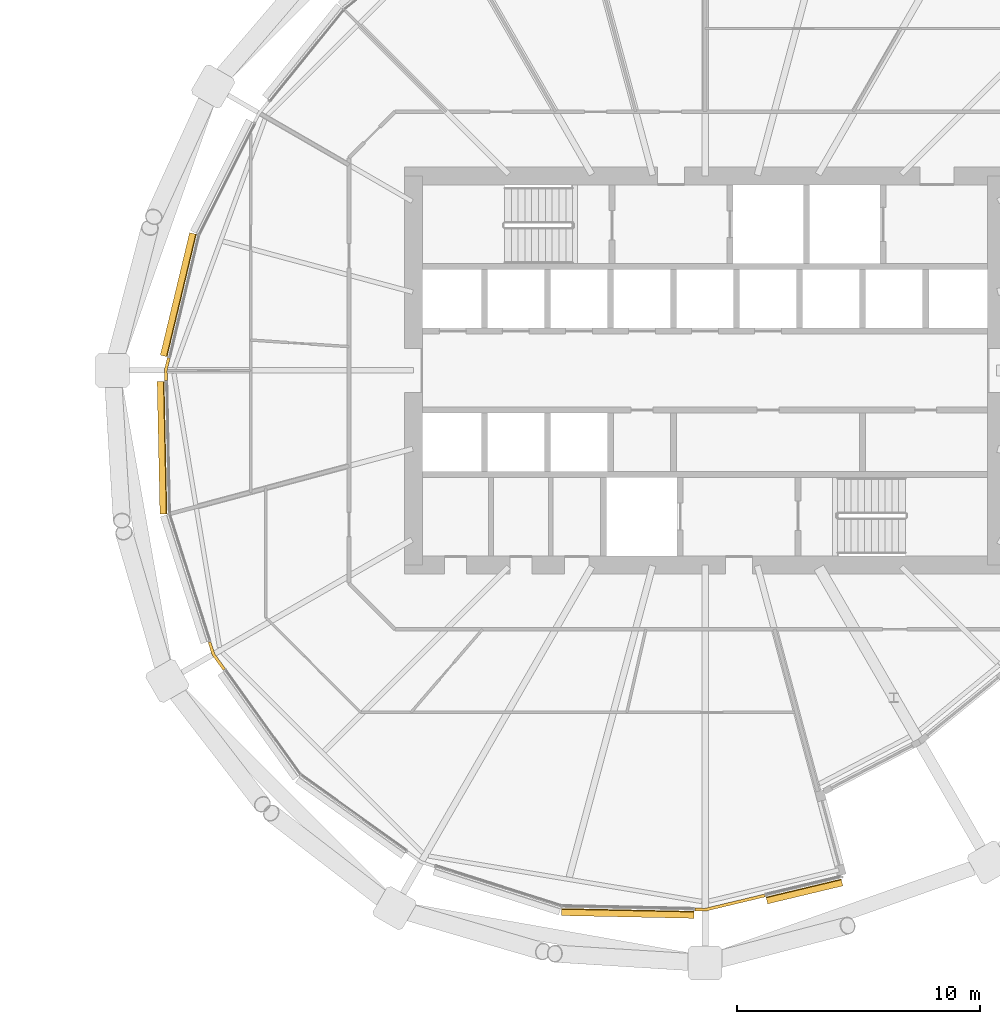
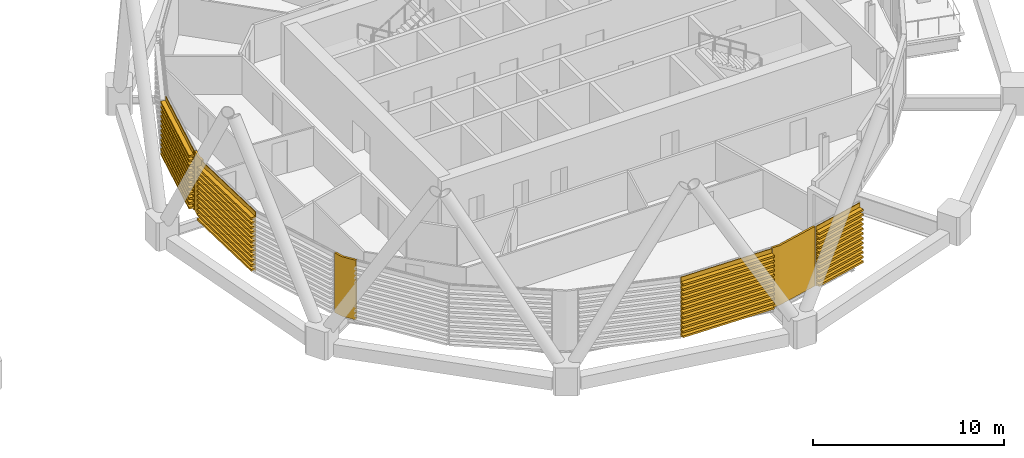
# One storey, part 35 of 38: 7 coverings.
"""IFC4 building model written with IfcOpenShell, lengths in metres."""

from ifc_helpers import new_model, si_unit, direction, frame, origin, place, context, subcontext, project, spatial, polyline, outline, extrude, material, layer, layer_set, material_profile, profile_set, type_object, element, save


model = new_model("IFC4")

# Units and contexts
model_context = context("Model", 3, precision=1e-05, world=origin(), true_north=direction((0.0, 1.0)))
body_context = subcontext(model_context, "Body", "Model", "MODEL_VIEW")
ifc_project = project(units=[si_unit("LENGTHUNIT", "METRE"), si_unit("AREAUNIT", "SQUARE_METRE"), si_unit("VOLUMEUNIT", "CUBIC_METRE"), si_unit("PLANEANGLEUNIT", "RADIAN"), si_unit("MASSUNIT", "GRAM", prefix="KILO")], contexts=[model_context])

# Site, building, storey
site_placement = place(None, origin())
site = spatial("IfcSite", under=ifc_project, at=site_placement, CompositionType="ELEMENT")
building_placement = place(site_placement, origin())
building = spatial("IfcBuilding", under=site, at=building_placement, Name="Rimbun Link Towers", CompositionType="ELEMENT")
storey_placement = place(building_placement, frame((0.0, 0.0, 93.0)))
storey = spatial("IfcBuildingStorey", under=building, at=storey_placement, Name="L22", CompositionType="ELEMENT", Elevation=93.0)

# Coverings
ifc_material_1 = material(Name="Terracotta", Category="masonry")
ifc_layer = layer(ifc_material_1, 0.1201171875)
ifc_layer_set = layer_set([ifc_layer], Name="LINK PIER terracotta cladding 120")
covering_type_1 = type_object("IfcCoveringType", Name="LINK PIER terracotta cladding 120", PredefinedType="CLADDING", material=ifc_layer_set)
covering_1_placement = place(storey_placement, origin())
element("IfcCovering", 1, at=covering_1_placement, inside=storey, type_object=covering_type_1, Name="LINK PIER cladding", PredefinedType="CLADDING", context=body_context, shape_type="SweptSolid", body=[
    extrude(outline(polyline([(9.6298828125, -0.419921875), (9.62109375, 0.0), (9.741943359375, 0.505859375), (9.625244140625, 0.53369140625), (9.500732421875, 0.012939453125), (9.509765625, -0.42236328125), (9.6298828125, -0.419921875)])), origin(), (0.0, 0.0, 1.0), 3.800048828125),
])
covering_2_placement = place(storey_placement, origin())
element("IfcCovering", 2, at=covering_2_placement, inside=storey, type_object=covering_type_1, Name="LINK PIER cladding", PredefinedType="CLADDING", context=body_context, shape_type="SweptSolid", body=[
    extrude(outline(polyline([(12.0234375, -12.27392578125), (11.574462890625, -11.648193359375), (11.4169921875, -11.15283203125), (11.302490234375, -11.189208984375), (11.4658203125, -11.702880859375), (11.926025390625, -12.34375), (12.0234375, -12.27392578125)])), origin(), (0.0, 0.0, 1.0), 3.800048828125),
])
covering_3_placement = place(storey_placement, origin())
element("IfcCovering", 3, at=covering_3_placement, inside=storey, type_object=covering_type_1, Name="LINK PIER cladding", PredefinedType="CLADDING", context=body_context, shape_type="SweptSolid", body=[
    extrude(outline(polyline([(34.200927734375, -21.542724609375), (31.75, -22.12890625), (31.330078125, -22.1201171875), (31.32763671875, -22.240234375), (31.762939453125, -22.249267578125), (34.228759765625, -21.65966796875), (34.200927734375, -21.542724609375)])), origin(), (0.0, 0.0, 1.0), 3.800048828125),
])
ifc_material_2 = material(Name="Terracotta", Category="masonry")
ifc_material_profile = material_profile(ifc_material_2, outline(polyline([(0.123046875, 0.0), (0.1630859375, 0.0), (0.1630859375, 0.10009765625), (0.423095703125, 0.10009765625), (0.423095703125, 0.219970703125), (0.1630859375, 0.219970703125), (0.1630859375, 0.39990234375), (0.423095703125, 0.39990234375), (0.423095703125, 0.52001953125), (0.1630859375, 0.52001953125), (0.1630859375, 0.699951171875), (0.423095703125, 0.699951171875), (0.423095703125, 0.820068359375), (0.1630859375, 0.820068359375), (0.1630859375, 1.0), (0.423095703125, 1.0), (0.423095703125, 1.1201171875), (0.1630859375, 1.1201171875), (0.1630859375, 1.300048828125), (0.423095703125, 1.300048828125), (0.423095703125, 1.419921875), (0.1630859375, 1.419921875), (0.1630859375, 1.60009765625), (0.423095703125, 1.60009765625), (0.423095703125, 1.719970703125), (0.1630859375, 1.719970703125), (0.1630859375, 1.89990234375), (0.423095703125, 1.89990234375), (0.423095703125, 2.02001953125), (0.1630859375, 2.02001953125), (0.1630859375, 2.199951171875), (0.423095703125, 2.199951171875), (0.423095703125, 2.320068359375), (0.1630859375, 2.320068359375), (0.1630859375, 2.5), (0.423095703125, 2.5), (0.423095703125, 2.6201171875), (0.1630859375, 2.6201171875), (0.1630859375, 2.800048828125), (0.423095703125, 2.800048828125), (0.423095703125, 2.919921875), (0.1630859375, 2.919921875), (0.1630859375, 3.10009765625), (0.423095703125, 3.10009765625), (0.423095703125, 3.219970703125), (0.1630859375, 3.219970703125), (0.1630859375, 3.39990234375), (0.423095703125, 3.39990234375), (0.423095703125, 3.52001953125), (0.1630859375, 3.52001953125), (0.1630859375, 3.800048828125), (0.123046875, 3.800048828125), (0.123046875, 0.0)])), Name="BAGUETTE 120X300")
ifc_profile_set = profile_set([ifc_material_profile], Name="Terracotta")
covering_type_2 = type_object("IfcCoveringType", Name="TERRACOTTA BAGUETTE 120X300 H3800", PredefinedType="CLADDING", material=ifc_profile_set)
covering_4_placement = place(storey_placement, frame((9.7490234375, 0.534912109375, 0.0), z_axis=(0.232563520744, 0.97258120937, 0.0), x_axis=(-0.97258120937, 0.232563520744, 0.0)))
element("IfcCovering", 4, at=covering_4_placement, inside=storey, type_object=covering_type_2, Name="TERRACOTTA BAGUETTE", PredefinedType="CLADDING", context=body_context, shape_type="SweptSolid", body=[
    extrude(outline(polyline([(0.123046875, 0.0), (0.1630859375, 0.0), (0.1630859375, 0.10009765625), (0.423095703125, 0.10009765625), (0.423095703125, 0.219970703125), (0.1630859375, 0.219970703125), (0.1630859375, 0.39990234375), (0.423095703125, 0.39990234375), (0.423095703125, 0.52001953125), (0.1630859375, 0.52001953125), (0.1630859375, 0.699951171875), (0.423095703125, 0.699951171875), (0.423095703125, 0.820068359375), (0.1630859375, 0.820068359375), (0.1630859375, 1.0), (0.423095703125, 1.0), (0.423095703125, 1.1201171875), (0.1630859375, 1.1201171875), (0.1630859375, 1.300048828125), (0.423095703125, 1.300048828125), (0.423095703125, 1.419921875), (0.1630859375, 1.419921875), (0.1630859375, 1.60009765625), (0.423095703125, 1.60009765625), (0.423095703125, 1.719970703125), (0.1630859375, 1.719970703125), (0.1630859375, 1.89990234375), (0.423095703125, 1.89990234375), (0.423095703125, 2.02001953125), (0.1630859375, 2.02001953125), (0.1630859375, 2.199951171875), (0.423095703125, 2.199951171875), (0.423095703125, 2.320068359375), (0.1630859375, 2.320068359375), (0.1630859375, 2.5), (0.423095703125, 2.5), (0.423095703125, 2.6201171875), (0.1630859375, 2.6201171875), (0.1630859375, 2.800048828125), (0.423095703125, 2.800048828125), (0.423095703125, 2.919921875), (0.1630859375, 2.919921875), (0.1630859375, 3.10009765625), (0.423095703125, 3.10009765625), (0.423095703125, 3.219970703125), (0.1630859375, 3.219970703125), (0.1630859375, 3.39990234375), (0.423095703125, 3.39990234375), (0.423095703125, 3.52001953125), (0.1630859375, 3.52001953125), (0.1630859375, 3.800048828125), (0.123046875, 3.800048828125), (0.123046875, 0.0)])), origin(), (0.0, 0.0, 1.0), 5.1796875),
])
for number, where, z_axis, x_axis, name in (
    (5, (9.7451171875, -5.896240234375, 0.0), (-0.021064000394, 0.99977812933, 0.0), (-0.99977812933, -0.021064000394, 0.0), "TERRACOTTA BAGUETTE"),
    (6, (31.300048828125, -22.11962890625, 0.0), (-0.99977812933, 0.021064000394, 0.0), (-0.021064000394, -0.99977812933, 0.0), "TERRACOTTA BAGUETTE"),
):
    element("IfcCovering", number, at=place(storey_placement, frame(where, z_axis=z_axis, x_axis=x_axis)), inside=storey, type_object=covering_type_2, Name=name, PredefinedType="CLADDING", context=body_context, shape_type="SweptSolid", body=[
        extrude(outline(polyline([(0.123046875, 0.0), (0.1630859375, 0.0), (0.1630859375, 0.10009765625), (0.423095703125, 0.10009765625), (0.423095703125, 0.219970703125), (0.1630859375, 0.219970703125), (0.1630859375, 0.39990234375), (0.423095703125, 0.39990234375), (0.423095703125, 0.52001953125), (0.1630859375, 0.52001953125), (0.1630859375, 0.699951171875), (0.423095703125, 0.699951171875), (0.423095703125, 0.820068359375), (0.1630859375, 0.820068359375), (0.1630859375, 1.0), (0.423095703125, 1.0), (0.423095703125, 1.1201171875), (0.1630859375, 1.1201171875), (0.1630859375, 1.300048828125), (0.423095703125, 1.300048828125), (0.423095703125, 1.419921875), (0.1630859375, 1.419921875), (0.1630859375, 1.60009765625), (0.423095703125, 1.60009765625), (0.423095703125, 1.719970703125), (0.1630859375, 1.719970703125), (0.1630859375, 1.89990234375), (0.423095703125, 1.89990234375), (0.423095703125, 2.02001953125), (0.1630859375, 2.02001953125), (0.1630859375, 2.199951171875), (0.423095703125, 2.199951171875), (0.423095703125, 2.320068359375), (0.1630859375, 2.320068359375), (0.1630859375, 2.5), (0.423095703125, 2.5), (0.423095703125, 2.6201171875), (0.1630859375, 2.6201171875), (0.1630859375, 2.800048828125), (0.423095703125, 2.800048828125), (0.423095703125, 2.919921875), (0.1630859375, 2.919921875), (0.1630859375, 3.10009765625), (0.423095703125, 3.10009765625), (0.423095703125, 3.219970703125), (0.1630859375, 3.219970703125), (0.1630859375, 3.39990234375), (0.423095703125, 3.39990234375), (0.423095703125, 3.52001953125), (0.1630859375, 3.52001953125), (0.1630859375, 3.800048828125), (0.123046875, 3.800048828125), (0.123046875, 0.0)])), origin(), (0.0, 0.0, 1.0), 5.447509765625),
    ])
covering_5_placement = place(storey_placement, frame((37.322509765625, -20.79638671875, 0.0), z_axis=(-0.972580024303, -0.232568476641, 0.0), x_axis=(0.232568476641, -0.972580024303, 0.0)))
element("IfcCovering", 7, at=covering_5_placement, inside=storey, type_object=covering_type_2, Name="TERRACOTTA BAGUETTE", PredefinedType="CLADDING", context=body_context, shape_type="SweptSolid", body=[
    extrude(outline(polyline([(0.123046875, 0.0), (0.1630859375, 0.0), (0.1630859375, 0.10009765625), (0.423095703125, 0.10009765625), (0.423095703125, 0.219970703125), (0.1630859375, 0.219970703125), (0.1630859375, 0.39990234375), (0.423095703125, 0.39990234375), (0.423095703125, 0.52001953125), (0.1630859375, 0.52001953125), (0.1630859375, 0.699951171875), (0.423095703125, 0.699951171875), (0.423095703125, 0.820068359375), (0.1630859375, 0.820068359375), (0.1630859375, 1.0), (0.423095703125, 1.0), (0.423095703125, 1.1201171875), (0.1630859375, 1.1201171875), (0.1630859375, 1.300048828125), (0.423095703125, 1.300048828125), (0.423095703125, 1.419921875), (0.1630859375, 1.419921875), (0.1630859375, 1.60009765625), (0.423095703125, 1.60009765625), (0.423095703125, 1.719970703125), (0.1630859375, 1.719970703125), (0.1630859375, 1.89990234375), (0.423095703125, 1.89990234375), (0.423095703125, 2.02001953125), (0.1630859375, 2.02001953125), (0.1630859375, 2.199951171875), (0.423095703125, 2.199951171875), (0.423095703125, 2.320068359375), (0.1630859375, 2.320068359375), (0.1630859375, 2.5), (0.423095703125, 2.5), (0.423095703125, 2.6201171875), (0.1630859375, 2.6201171875), (0.1630859375, 2.800048828125), (0.423095703125, 2.800048828125), (0.423095703125, 2.919921875), (0.1630859375, 2.919921875), (0.1630859375, 3.10009765625), (0.423095703125, 3.10009765625), (0.423095703125, 3.219970703125), (0.1630859375, 3.219970703125), (0.1630859375, 3.39990234375), (0.423095703125, 3.39990234375), (0.423095703125, 3.52001953125), (0.1630859375, 3.52001953125), (0.1630859375, 3.800048828125), (0.123046875, 3.800048828125), (0.123046875, 0.0)])), origin(), (0.0, 0.0, 1.0), 3.1796875),
])

save(model, "model.ifc")
